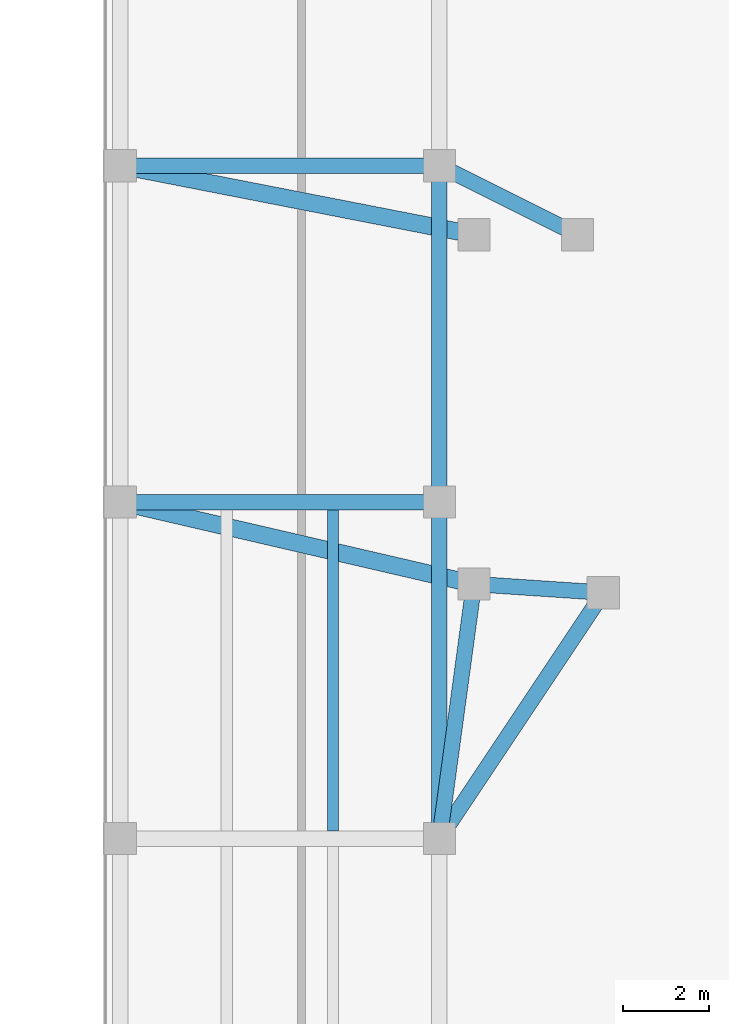
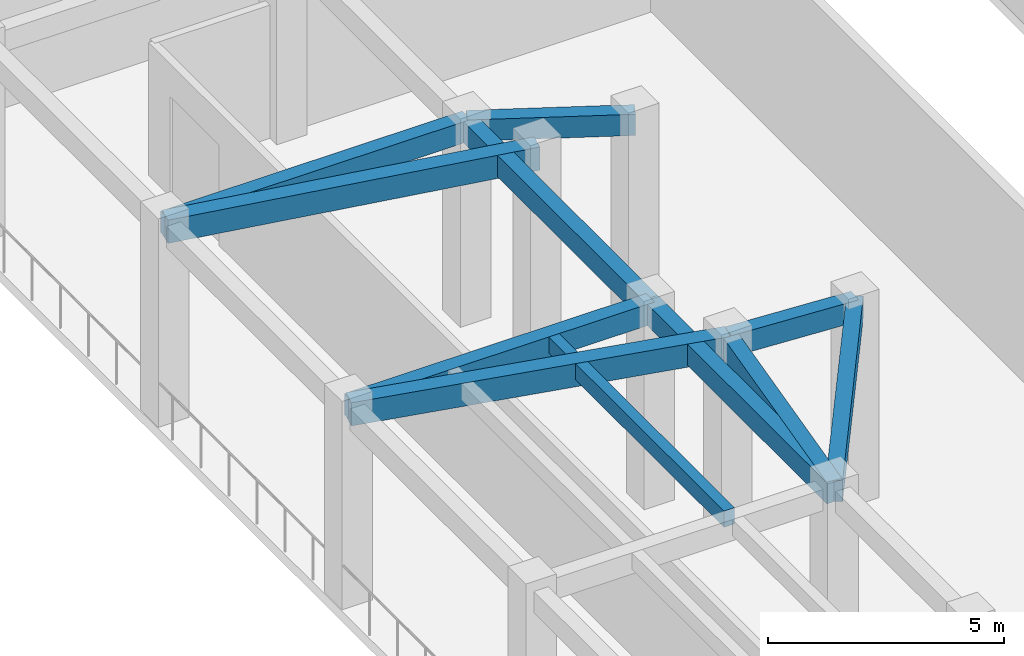
# One storey, part 51 of 96: 11 beams.
"""IFC4 building model written with IfcOpenShell, lengths in metres."""

from ifc_helpers import new_model, si_unit, direction, frame, origin, origin_2d, place, context, subcontext, project, spatial, rectangle, extrude, material, material_profile, profile_set, type_object, element, save


model = new_model("IFC4")

# Units and contexts
model_context = context("Model", 3, precision=1e-05, world=origin(), true_north=direction((0.0, 1.0)))
body_context = subcontext(model_context, "Body", "Model", "MODEL_VIEW")
ifc_project = project(units=[si_unit("LENGTHUNIT", "METRE"), si_unit("AREAUNIT", "SQUARE_METRE"), si_unit("VOLUMEUNIT", "CUBIC_METRE"), si_unit("PLANEANGLEUNIT", "RADIAN"), si_unit("MASSUNIT", "GRAM", prefix="KILO")], contexts=[model_context])

# Site, building, storey
site_placement = place(None, origin())
site = spatial("IfcSite", under=ifc_project, at=site_placement, CompositionType="ELEMENT")
building_placement = place(site_placement, origin())
building = spatial("IfcBuilding", under=site, at=building_placement, Name="Pelvatis Terrace Science Centre", CompositionType="ELEMENT")
storey_placement = place(building_placement, origin())
storey = spatial("IfcBuildingStorey", under=building, at=storey_placement, Name="L00", CompositionType="ELEMENT", Elevation=0.0)

# Beams
ifc_material_1 = material(Name="Concrete C35/45", Category="concrete")
ifc_material_profile_1 = material_profile(ifc_material_1, rectangle(XDim=0.360107421875, YDim=0.550048828125, at=origin_2d()), Name="RC-BM 360x550")
ifc_profile_set_1 = profile_set([ifc_material_profile_1], Name="Concrete C35/45")
beam_type_1 = type_object("IfcBeamType", Name="BM-RC-360x550", PredefinedType="BEAM", material=ifc_profile_set_1)
for number, where, z_axis, x_axis, name in (
    (1, (140.800048828125, 54.60009765625, 4.864990234375), (1.0, 0.0, 0.0), (0.0, 1.0, 0.0), "Beam BM-L00-2481"),
    (2, (140.800048828125, 62.39990234375, 4.864990234375), (1.0, 0.0, 0.0), (0.0, 1.0, 0.0), "Beam BM-L00-2484"),
):
    element("IfcBeam", number, at=place(storey_placement, frame(where, z_axis=z_axis, x_axis=x_axis)), inside=storey, type_object=beam_type_1, Name=name, PredefinedType="BEAM", context=body_context, shape_type="SweptSolid", body=[
        extrude(rectangle(XDim=0.360107421875, YDim=0.550048828125, at=origin_2d()), origin(), (0.0, 0.0, 1.0), 7.39990234375),
    ])
beam_1_placement = place(storey_placement, frame((148.199951171875, 46.800048828125, 4.864990234375), z_axis=(0.0, 1.0, 0.0), x_axis=(-1.0, 0.0, 0.0)))
element("IfcBeam", 3, at=beam_1_placement, inside=storey, type_object=beam_type_1, Name="Beam BM-L00-2491", PredefinedType="BEAM", context=body_context, shape_type="SweptSolid", body=[
    extrude(rectangle(XDim=0.360107421875, YDim=0.550048828125, at=origin_2d()), origin(), (0.0, 0.0, 1.0), 7.800048828125),
])
beam_2_placement = place(storey_placement, frame((148.199951171875, 46.800048828125, 4.864990234375), z_axis=(0.554708420396, 0.832044811499, 0.0), x_axis=(-0.832044811499, 0.554708420396, 0.0)))
element("IfcBeam", 4, at=beam_2_placement, inside=storey, type_object=beam_type_1, Name="Beam BM-L00-2492", PredefinedType="BEAM", context=body_context, shape_type="SweptSolid", body=[
    extrude(rectangle(XDim=0.360107421875, YDim=0.550048828125, at=origin_2d()), origin(), (0.0, 0.0, 1.0), 6.8505859375),
])
beam_3_placement = place(storey_placement, frame((148.199951171875, 46.800048828125, 4.864990234375), z_axis=(0.134373909798, 0.990930700082, 0.0), x_axis=(-0.990930700082, 0.134373909798, 0.0)))
element("IfcBeam", 5, at=beam_3_placement, inside=storey, type_object=beam_type_1, Name="Beam BM-L00-2493", PredefinedType="BEAM", context=body_context, shape_type="SweptSolid", body=[
    extrude(rectangle(XDim=0.360107421875, YDim=0.550048828125, at=origin_2d()), origin(), (0.0, 0.0, 1.0), 5.953857421875),
])
beam_4_placement = place(storey_placement, frame((148.199951171875, 54.60009765625, 4.864990234375), z_axis=(0.0, 1.0, 0.0), x_axis=(-1.0, 0.0, 0.0)))
element("IfcBeam", 6, at=beam_4_placement, inside=storey, type_object=beam_type_1, Name="Beam BM-L00-2494", PredefinedType="BEAM", context=body_context, shape_type="SweptSolid", body=[
    extrude(rectangle(XDim=0.360107421875, YDim=0.550048828125, at=origin_2d()), origin(), (0.0, 0.0, 1.0), 7.7998046875),
])
beam_5_placement = place(storey_placement, frame((148.199951171875, 62.39990234375, 4.864990234375), z_axis=(0.894440838876, -0.447186298707, 0.0), x_axis=(0.447186298707, 0.894440838876, 0.0)))
element("IfcBeam", 7, at=beam_5_placement, inside=storey, type_object=beam_type_1, Name="Beam BM-L00-2496", PredefinedType="BEAM", context=body_context, shape_type="SweptSolid", body=[
    extrude(rectangle(XDim=0.360107421875, YDim=0.550048828125, at=origin_2d()), origin(), (0.0, 0.0, 1.0), 3.57763671875),
])
beam_6_placement = place(storey_placement, frame((152.0, 52.5, 4.864990234375), z_axis=(-0.997786235602, 0.066502842363, 0.0), x_axis=(-0.066502842363, -0.997786235602, 0.0)))
element("IfcBeam", 8, at=beam_6_placement, inside=storey, type_object=beam_type_1, Name="Beam BM-L00-2535", PredefinedType="BEAM", context=body_context, shape_type="SweptSolid", body=[
    extrude(rectangle(XDim=0.360107421875, YDim=0.550048828125, at=origin_2d()), origin(), (0.0, 0.0, 1.0), 3.006591796875),
])
ifc_material_2 = material(Name="Concrete C35/45", Category="concrete")
ifc_material_profile_2 = material_profile(ifc_material_2, rectangle(XDim=0.39990234375, YDim=0.60009765625, at=origin_2d()), Name="RC-BM 400x600")
ifc_profile_set_2 = profile_set([ifc_material_profile_2], Name="Concrete C35/45")
beam_type_2 = type_object("IfcBeamType", Name="BM-RC-400x600", PredefinedType="BEAM", material=ifc_profile_set_2)
beam_7_placement = place(storey_placement, frame((140.800048828125, 54.60009765625, 4.840087890625), z_axis=(0.974186455713, -0.22574487703, 0.0), x_axis=(0.22574487703, 0.974186455713, 0.0)))
element("IfcBeam", 9, at=beam_7_placement, inside=storey, type_object=beam_type_2, Name="Beam BM-L00-2482", PredefinedType="BEAM", context=body_context, shape_type="SweptSolid", body=[
    extrude(rectangle(XDim=0.39990234375, YDim=0.60009765625, at=origin_2d()), origin(), (0.0, 0.0, 1.0), 8.417236328125),
])
beam_8_placement = place(storey_placement, frame((140.800048828125, 62.39990234375, 4.840087890625), z_axis=(0.981493673232, -0.191494567562, 0.0), x_axis=(0.191494567562, 0.981493673232, 0.0)))
element("IfcBeam", 10, at=beam_8_placement, inside=storey, type_object=beam_type_2, Name="Beam BM-L00-2485", PredefinedType="BEAM", context=body_context, shape_type="SweptSolid", body=[
    extrude(rectangle(XDim=0.39990234375, YDim=0.60009765625, at=origin_2d()), origin(), (0.0, 0.0, 1.0), 8.3544921875),
])
ifc_material_3 = material(Name="Concrete C35/45", Category="concrete")
ifc_material_profile_3 = material_profile(ifc_material_3, rectangle(XDim=0.260009765625, YDim=0.419921875, at=origin_2d()), Name="RC-JST 260x420")
ifc_profile_set_3 = profile_set([ifc_material_profile_3], Name="Concrete C35/45")
beam_type_3 = type_object("IfcBeamType", Name="JST-RC-260x420", PredefinedType="JOIST", material=ifc_profile_set_3)
beam_9_placement = place(storey_placement, frame((145.7333984375, 46.97998046875, 4.929931640625), z_axis=(0.0, 1.0, 0.0), x_axis=(-1.0, 0.0, 0.0)))
element("IfcBeam", 11, at=beam_9_placement, inside=storey, type_object=beam_type_3, Name="Secondary floor joist J-L00-2072", PredefinedType="JOIST", context=body_context, shape_type="SweptSolid", body=[
    extrude(rectangle(XDim=0.260009765625, YDim=0.419921875, at=origin_2d()), origin(), (0.0, 0.0, 1.0), 7.43994140625),
])

save(model, "model.ifc")
